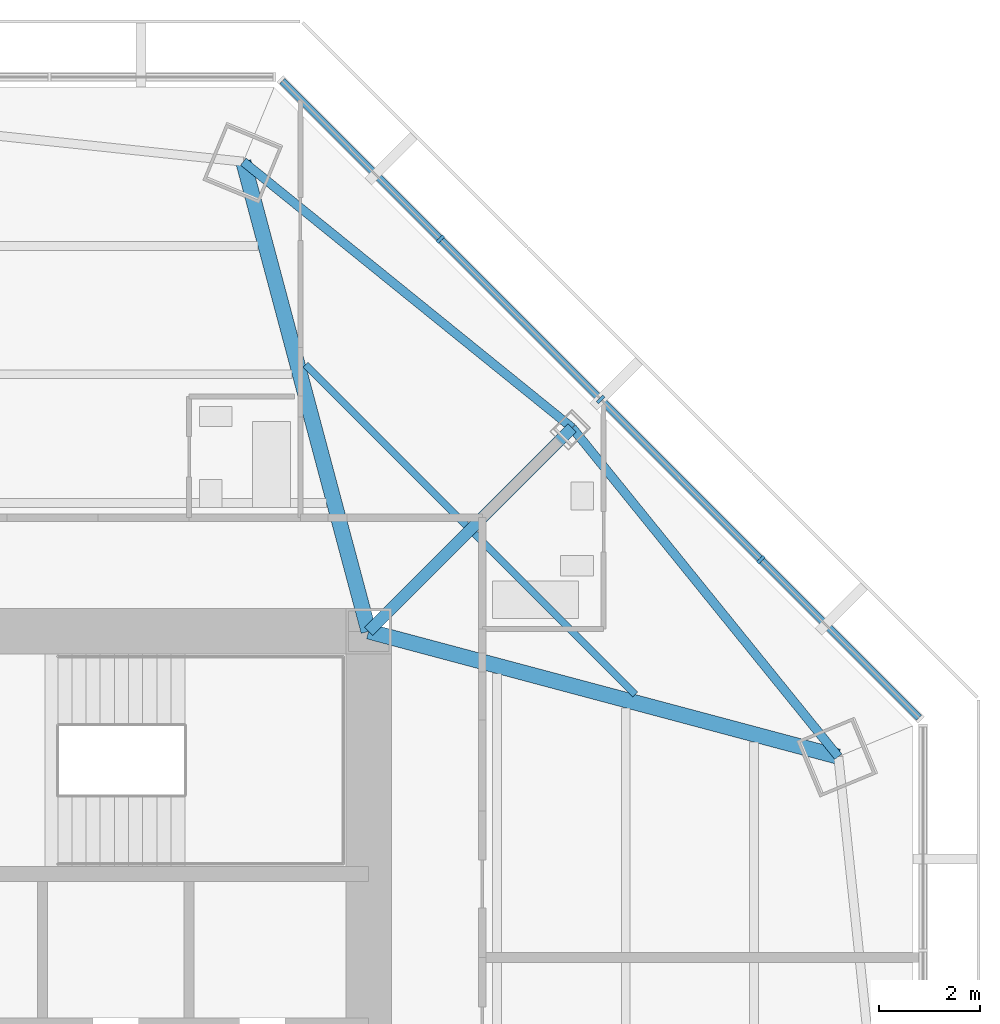
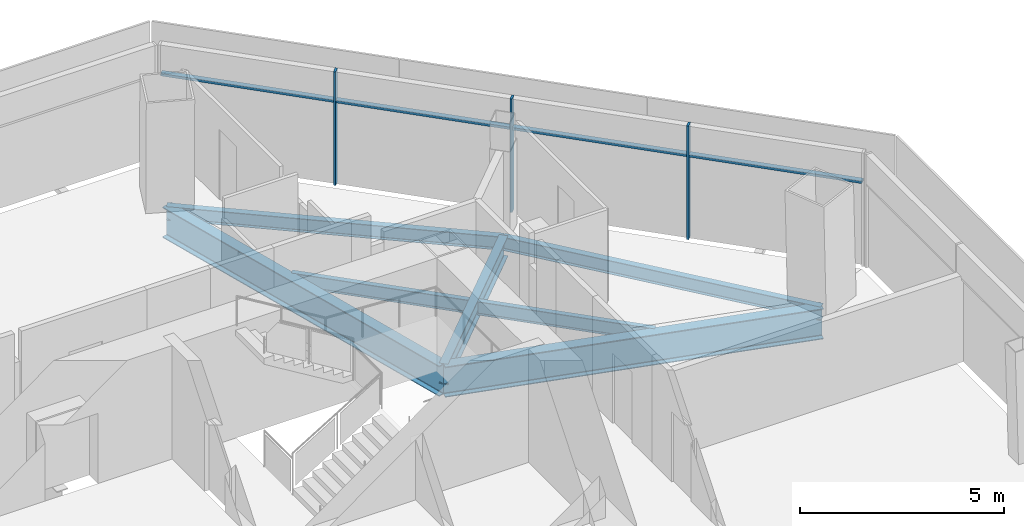
# One storey, part 6 of 15: 7 beams, 7 members, 1 element without a shape of its own.
"""IFC4 building model written with IfcOpenShell, lengths in metres."""

from ifc_helpers import new_model, si_unit, direction, frame, origin, origin_2d, place, context, subcontext, project, spatial, rectangle, i_section, extrude, source, transform, mapped, material, material_profile, profile_set, type_object, type_shapes, element, aggregate, save


model = new_model("IFC4")

# Units and contexts
model_context = context("Model", 3, precision=1e-05, world=origin(), true_north=direction((0.0, 1.0)))
body_context = subcontext(model_context, "Body", "Model", "MODEL_VIEW")
ifc_project = project(units=[si_unit("LENGTHUNIT", "METRE"), si_unit("AREAUNIT", "SQUARE_METRE"), si_unit("VOLUMEUNIT", "CUBIC_METRE"), si_unit("PLANEANGLEUNIT", "RADIAN"), si_unit("MASSUNIT", "GRAM", prefix="KILO")], contexts=[model_context])

# Site, building, storey
site_placement = place(None, origin())
site = spatial("IfcSite", under=ifc_project, at=site_placement, CompositionType="ELEMENT")
building_placement = place(site_placement, origin())
building = spatial("IfcBuilding", under=site, at=building_placement, Name="Mashrafa Tower", CompositionType="ELEMENT")
storey_placement = place(building_placement, frame((0.0, 0.0, 221.0)))
storey = spatial("IfcBuildingStorey", under=building, at=storey_placement, Name="L51", CompositionType="ELEMENT", Elevation=221.0)

# Beams
ifc_material_1 = material(Name="Steel ASTM A992", Category="steel")
ifc_material_profile_1 = material_profile(ifc_material_1, i_section(OverallWidth=0.140380859375, OverallDepth=0.40380859375, WebThickness=0.007080078125, FlangeThickness=0.01123046875, FilletRadius=0.01025390625, at=origin_2d()), Name="W16X31")
ifc_profile_set_1 = profile_set([ifc_material_profile_1], Name="Steel ASTM A992")
beam_type_1 = type_object("IfcBeamType", Name="Beam W16X31", PredefinedType="BEAM", material=ifc_profile_set_1)
for number, where, z_axis, x_axis, name in (
    (1, (9.550048828125, 16.076904296875, -0.40185546875), (0.707106781187, -0.707106781187, 0.0), (0.707106781187, 0.707106781187, 0.0), "Floor beam L51 021"),
    (2, (12.89453125, 12.732421875, -0.40185546875), (0.707106781187, -0.707106781187, 0.0), (0.707106781187, 0.707106781187, 0.0), "Floor beam L51 025"),
):
    element("IfcBeam", number, at=place(storey_placement, frame(where, z_axis=z_axis, x_axis=x_axis)), inside=storey, type_object=beam_type_1, Name=name, PredefinedType="BEAM", context=body_context, shape_type="SweptSolid", body=[
        extrude(i_section(OverallWidth=0.140380859375, OverallDepth=0.40380859375, WebThickness=0.007080078125, FlangeThickness=0.01123046875, FilletRadius=0.01025390625, at=origin_2d()), origin(), (0.0, 0.0, 1.0), 4.50048828125),
    ])
ifc_material_2 = material(Name="Steel ASTM A992", Category="steel")
ifc_material_profile_2 = material_profile(ifc_material_2, i_section(OverallWidth=0.177734375, OverallDepth=0.406494140625, WebThickness=0.0078125, FlangeThickness=0.012939453125, FilletRadius=0.01025390625, at=origin_2d()), Name="W16X40")
ifc_profile_set_2 = profile_set([ifc_material_profile_2], Name="Steel ASTM A992")
beam_type_2 = type_object("IfcBeamType", Name="Beam W16X40", PredefinedType="BEAM", material=ifc_profile_set_2)
for number, where, z_axis, x_axis, name in (
    (3, (14.826904296875, 14.826904296875, -0.4033203125), (-0.777398402016, 0.629008525016, 0.0), (-0.629008525016, -0.777398402016, 0.0), "Spandrel beam L51 061"),
    (4, (20.09033203125, 8.32177734375, -0.4033203125), (-0.629008525016, 0.777398402016, 0.0), (-0.777398402016, -0.629008525016, 0.0), "Spandrel beam L51 063"),
):
    element("IfcBeam", number, at=place(storey_placement, frame(where, z_axis=z_axis, x_axis=x_axis)), inside=storey, type_object=beam_type_2, Name=name, PredefinedType="BEAM", context=body_context, shape_type="SweptSolid", body=[
        extrude(i_section(OverallWidth=0.177734375, OverallDepth=0.406494140625, WebThickness=0.0078125, FlangeThickness=0.012939453125, FilletRadius=0.01025390625, at=origin_2d()), origin(), (0.0, 0.0, 1.0), 8.367919921875),
    ])
ifc_material_3 = material(Name="Steel ASTM A992", Category="steel")
ifc_material_profile_3 = material_profile(ifc_material_3, i_section(OverallWidth=0.22900390625, OverallDepth=0.612060546875, WebThickness=0.011962890625, FlangeThickness=0.01953125, FilletRadius=0.0126953125, at=origin_2d()), Name="W24X84")
ifc_profile_set_3 = profile_set([ifc_material_profile_3], Name="Steel ASTM A992")
beam_type_3 = type_object("IfcBeamType", Name="Beam W24X84", PredefinedType="BEAM", material=ifc_profile_set_3)
beam_placement = place(storey_placement, frame((10.800048828125, 10.800048828125, -0.506103515625), z_axis=(0.707106781187, 0.707106781187, 0.0), x_axis=(-0.707106781187, 0.707106781187, 0.0)))
element("IfcBeam", 5, at=beam_placement, inside=storey, type_object=beam_type_3, Name="Radial girder L51 047", PredefinedType="BEAM", context=body_context, shape_type="SweptSolid", body=[
    extrude(i_section(OverallWidth=0.22900390625, OverallDepth=0.612060546875, WebThickness=0.011962890625, FlangeThickness=0.01953125, FilletRadius=0.0126953125, at=origin_2d()), origin(), (0.0, 0.0, 1.0), 5.69482421875),
])
ifc_material_4 = material(Name="Steel ASTM A992", Category="steel")
ifc_material_profile_4 = material_profile(ifc_material_4, i_section(OverallWidth=0.3046875, OverallDepth=0.911865234375, WebThickness=0.015869140625, FlangeThickness=0.02392578125, FilletRadius=0.01904296875, at=origin_2d()), Name="W36X150")
ifc_profile_set_4 = profile_set([ifc_material_profile_4], Name="Steel ASTM A992")
beam_type_4 = type_object("IfcBeamType", Name="Beam W36X150", PredefinedType="BEAM", material=ifc_profile_set_4)
for number, where, z_axis, x_axis, name in (
    (6, (10.800048828125, 10.800048828125, -0.656005859375), (-0.257746409055, 0.966212600114, 0.0), (-0.966212600114, -0.257746409055, 0.0), "Radial girder L51 046"),
    (7, (10.800048828125, 10.800048828125, -0.656005859375), (0.966212600114, -0.257746409055, 0.0), (0.257746409055, 0.966212600114, 0.0), "Radial girder L51 048"),
):
    element("IfcBeam", number, at=place(storey_placement, frame(where, z_axis=z_axis, x_axis=x_axis)), inside=storey, type_object=beam_type_4, Name=name, PredefinedType="BEAM", context=body_context, shape_type="SweptSolid", body=[
        extrude(i_section(OverallWidth=0.3046875, OverallDepth=0.911865234375, WebThickness=0.015869140625, FlangeThickness=0.02392578125, FilletRadius=0.01904296875, at=origin_2d()), origin(), (0.0, 0.0, 1.0), 9.615234375),
    ])

# Curtain wall, members
ifc_material_5 = material(Name="Unitised aluminium curtain wall", Category="aluminium")
curtain_wall_type = type_object("IfcCurtainWallType", Name="Apartment curtain wall, zone 3 CW-C 180 deep", PredefinedType="NOTDEFINED", material=ifc_material_5)
curtain_wall_placement = place(storey_placement, origin())
curtain_wall = element("IfcCurtainWall", 8, at=curtain_wall_placement, inside=storey, type_object=curtain_wall_type, Name="Apartment curtain wall, zone 3 L51 north-east", PredefinedType="NOTDEFINED")
ifc_material_6 = material(Name="Extruded aluminium mullion", Category="aluminium")
ifc_material_profile_5 = material_profile(ifc_material_6, rectangle(XDim=0.179931640625, YDim=0.06005859375, at=origin_2d()), Name="Mullion 60x180")
ifc_profile_set_5 = profile_set([ifc_material_profile_5], Name="Extruded aluminium mullion")
member_type_1 = type_object("IfcMemberType", Name="Mullion CW-C 60 x 180", PredefinedType="MULLION", material=ifc_profile_set_5)
shared_shape_1 = source(origin(), body_context, "Body", "SweptSolid", [
    extrude(rectangle(XDim=0.179931640625, YDim=0.06005859375, at=origin_2d()), origin(), (0.0, 0.0, 1.0), 3.39990234375),
])
type_shapes(member_type_1, [shared_shape_1])
member_1_placement = place(storey_placement, frame((18.55908203125, 12.21826171875, 0.0), z_axis=(0.0, 0.0, 1.0), x_axis=(-0.707106781187, -0.707106781187, 0.0)))
member_1 = element("IfcMember", 9, at=member_1_placement, type_object=member_type_1, Name="CW-C mullion 2", PredefinedType="MULLION", context=body_context, shape_type="MappedRepresentation", body=[
    mapped(shared_shape_1, transform((0.0, 0.0, 0.0))),
])
member_2_placement = place(storey_placement, frame((15.388671875, 15.388671875, 0.0), z_axis=(0.0, 0.0, 1.0), x_axis=(-0.707106781187, -0.707106781187, 0.0)))
member_2 = element("IfcMember", 10, at=member_2_placement, type_object=member_type_1, Name="CW-C mullion 3", PredefinedType="MULLION", context=body_context, shape_type="MappedRepresentation", body=[
    mapped(shared_shape_1, transform((0.0, 0.0, 0.0))),
])
member_3_placement = place(storey_placement, frame((12.21826171875, 18.55908203125, 0.0), z_axis=(0.0, 0.0, 1.0), x_axis=(-0.707106781187, -0.707106781187, 0.0)))
member_3 = element("IfcMember", 11, at=member_3_placement, type_object=member_type_1, Name="CW-C mullion 4", PredefinedType="MULLION", context=body_context, shape_type="MappedRepresentation", body=[
    mapped(shared_shape_1, transform((0.0, 0.0, 0.0))),
])
ifc_material_7 = material(Name="Extruded aluminium transom", Category="aluminium")
ifc_material_profile_6 = material_profile(ifc_material_7, rectangle(XDim=0.14404296875, YDim=0.074951171875, at=origin_2d()), Name="Transom 75x144")
ifc_profile_set_6 = profile_set([ifc_material_profile_6], Name="Extruded aluminium transom")
member_type_2 = type_object("IfcMemberType", Name="Transom CW-C 75 x 144", PredefinedType="MULLION", material=ifc_profile_set_6)
shared_shape_2 = source(origin(), body_context, "Body", "SweptSolid", [
    extrude(rectangle(XDim=0.14404296875, YDim=0.074951171875, at=origin_2d()), origin(), (0.0, 0.0, 1.0), 4.3935546875),
])
member_4_placement = place(storey_placement, frame((21.68701171875, 9.09033203125, 2.5), z_axis=(-0.707106781187, 0.707106781187, 0.0), x_axis=(-0.707106781187, -0.707106781187, 0.0)))
member_4 = element("IfcMember", 12, at=member_4_placement, type_object=member_type_2, Name="CW-C transom 1", PredefinedType="MULLION", context=body_context, shape_type="MappedRepresentation", body=[
    mapped(shared_shape_2, transform((0.0, 0.0, 0.0))),
])
member_5_placement = place(storey_placement, frame((12.197021484375, 18.580322265625, 2.5), z_axis=(-0.707106781187, 0.707106781187, 0.0), x_axis=(-0.707106781187, -0.707106781187, 0.0)))
member_5 = element("IfcMember", 13, at=member_5_placement, type_object=member_type_2, Name="CW-C transom 4", PredefinedType="MULLION", context=body_context, shape_type="MappedRepresentation", body=[
    mapped(shared_shape_2, transform((0.0, 0.0, 0.0))),
])
shared_shape_3 = source(origin(), body_context, "Body", "SweptSolid", [
    extrude(rectangle(XDim=0.14404296875, YDim=0.074951171875, at=origin_2d()), origin(), (0.0, 0.0, 1.0), 4.423583984375),
])
type_shapes(member_type_2, [shared_shape_2, shared_shape_3])
member_6_placement = place(storey_placement, frame((18.537841796875, 12.239501953125, 2.5), z_axis=(-0.707106781187, 0.707106781187, 0.0), x_axis=(-0.707106781187, -0.707106781187, 0.0)))
member_6 = element("IfcMember", 14, at=member_6_placement, type_object=member_type_2, Name="CW-C transom 2", PredefinedType="MULLION", context=body_context, shape_type="MappedRepresentation", body=[
    mapped(shared_shape_3, transform((0.0, 0.0, 0.0))),
])
member_7_placement = place(storey_placement, frame((15.367431640625, 15.409912109375, 2.5), z_axis=(-0.707106781187, 0.707106781187, 0.0), x_axis=(-0.707106781187, -0.707106781187, 0.0)))
member_7 = element("IfcMember", 15, at=member_7_placement, type_object=member_type_2, Name="CW-C transom 3", PredefinedType="MULLION", context=body_context, shape_type="MappedRepresentation", body=[
    mapped(shared_shape_3, transform((0.0, 0.0, 0.0))),
])
aggregate(curtain_wall, [member_1, member_2, member_3, member_4, member_6, member_7, member_5])

save(model, "model.ifc")
